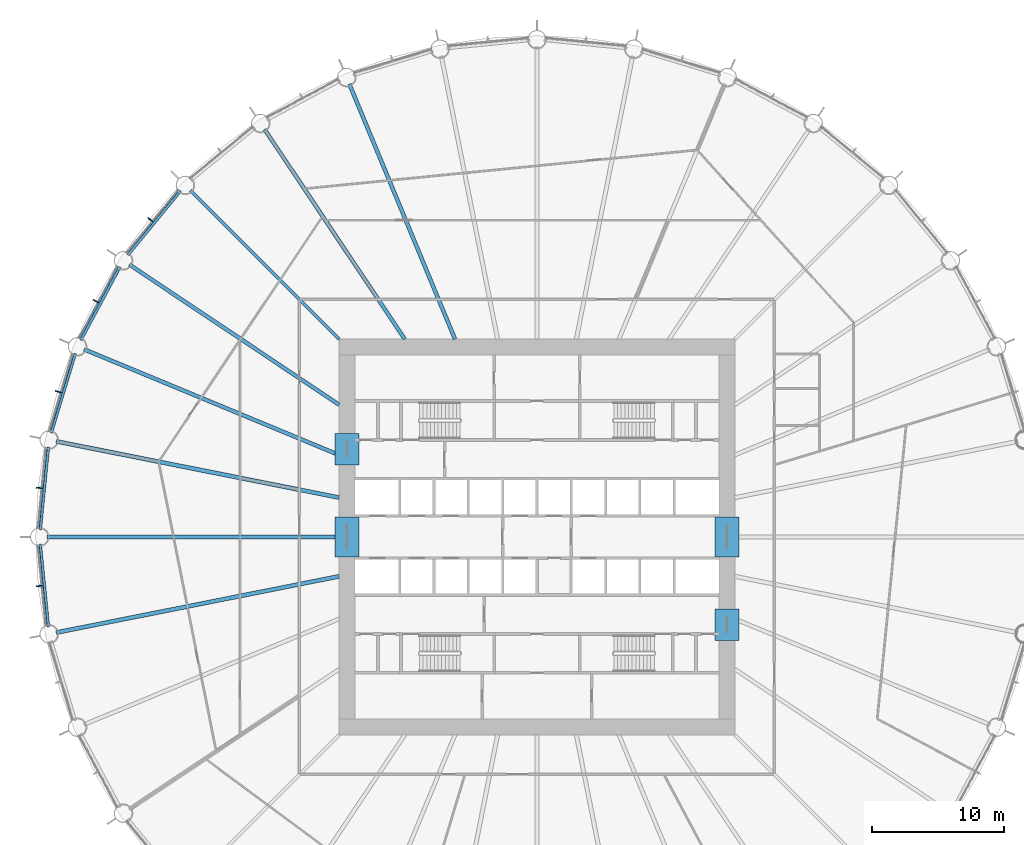
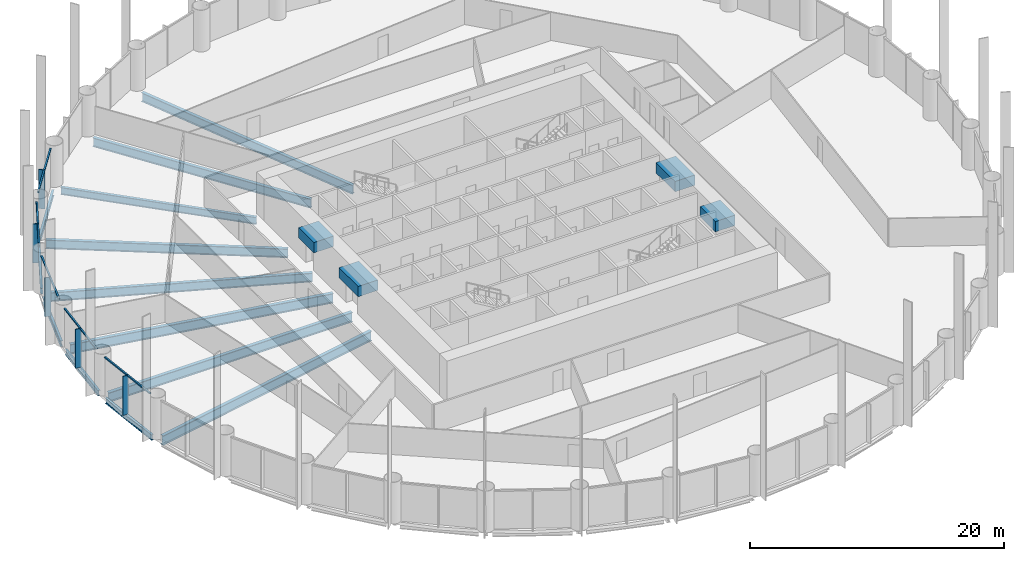
# One storey, part 4 of 14: 17 beams, 15 members, 5 elements without a shape of their own.
"""IFC4 building model written with IfcOpenShell, lengths in metres."""

from ifc_helpers import new_model, si_unit, direction, frame, origin, origin_2d, place, context, subcontext, project, spatial, rectangle, i_section, extrude, material, material_profile, profile_set, type_object, element, aggregate, save


model = new_model("IFC4")

# Units and contexts
model_context = context("Model", 3, precision=1e-05, world=origin(), true_north=direction((0.0, 1.0)))
body_context = subcontext(model_context, "Body", "Model", "MODEL_VIEW")
ifc_project = project(units=[si_unit("LENGTHUNIT", "METRE"), si_unit("AREAUNIT", "SQUARE_METRE"), si_unit("VOLUMEUNIT", "CUBIC_METRE"), si_unit("PLANEANGLEUNIT", "RADIAN"), si_unit("MASSUNIT", "GRAM", prefix="KILO")], contexts=[model_context])

# Site, building, storey
site_placement = place(None, origin())
site = spatial("IfcSite", under=ifc_project, at=site_placement, CompositionType="ELEMENT")
building_placement = place(site_placement, origin())
building = spatial("IfcBuilding", under=site, at=building_placement, Name="Corvane Civic Tower", CompositionType="ELEMENT")
storey_placement = place(building_placement, frame((0.0, 0.0, 53.0)))
storey = spatial("IfcBuildingStorey", under=building, at=storey_placement, Name="L11", CompositionType="ELEMENT", Elevation=53.0)

# Beams
ifc_material_1 = material(Name="Concrete C80/95", Category="concrete")
ifc_material_profile_1 = material_profile(ifc_material_1, rectangle(XDim=1.800048828125, YDim=1.0, at=origin_2d()), Name="COUPLING BEAM 1800X1000")
ifc_profile_set_1 = profile_set([ifc_material_profile_1], Name="Concrete C80/95")
beam_type_1 = type_object("IfcBeamType", Name="COUPLING BEAM COUPLING BEAM 1800X1000", PredefinedType="BEAM", material=ifc_profile_set_1)
for number, where, z_axis, x_axis, name in (
    (1, (-14.39990234375, -1.5, 2.60009765625), (0.0, 1.0, 0.0), (-1.0, 0.0, 0.0), "BM-L11-cpl-CW-LW"),
    (2, (14.39990234375, -1.5, 2.60009765625), (0.0, 1.0, 0.0), (-1.0, 0.0, 0.0), "BM-L11-cpl-CW-LE"),
):
    element("IfcBeam", number, at=place(storey_placement, frame(where, z_axis=z_axis, x_axis=x_axis)), inside=storey, type_object=beam_type_1, Name=name, PredefinedType="BEAM", context=body_context, shape_type="SweptSolid", body=[
        extrude(rectangle(XDim=1.800048828125, YDim=1.0, at=origin_2d()), origin(), (0.0, 0.0, 1.0), 3.0),
    ])
for number, where, z_axis, x_axis, name in (
    (3, (-14.39990234375, 5.449951171875, 2.60009765625), (0.0, 1.0, 0.0), (-1.0, 0.0, 0.0), "BM-L11-cpl-CW-WN"),
    (4, (14.39990234375, -7.85009765625, 2.60009765625), (0.0, 1.0, 0.0), (-1.0, 0.0, 0.0), "BM-L11-cpl-CW-ES"),
):
    element("IfcBeam", number, at=place(storey_placement, frame(where, z_axis=z_axis, x_axis=x_axis)), inside=storey, type_object=beam_type_1, Name=name, PredefinedType="BEAM", context=body_context, shape_type="SweptSolid", body=[
        extrude(rectangle(XDim=1.800048828125, YDim=1.0, at=origin_2d()), origin(), (0.0, 0.0, 1.0), 2.400146484375),
    ])
ifc_material_2 = material(Name="Steel ASTM A992 Gr 50", Category="steel")
ifc_material_profile_2 = material_profile(ifc_material_2, i_section(OverallWidth=0.209228515625, OverallDepth=0.533447265625, WebThickness=0.01025390625, FlangeThickness=0.015625, at=origin_2d()), Name="W21X62")
ifc_profile_set_2 = profile_set([ifc_material_profile_2], Name="Steel ASTM A992 Gr 50")
beam_type_2 = type_object("IfcBeamType", Name="EDGE BEAM W21X62", PredefinedType="BEAM", material=ifc_profile_set_2)
for number, where, z_axis, x_axis, name in (
    (5, (-37.029541015625, -6.8076171875, -0.566650390625), (-0.097997284622, 0.995186682089, 0.0), (-0.995186682089, -0.097997284622, 0.0), "BM-L11-E24"),
    (6, (-37.64599609375, 0.54736328125, -0.566650390625), (0.097997284622, 0.995186682089, 0.0), (-0.995186682089, 0.097997284622, 0.0), "BM-L11-E25"),
):
    element("IfcBeam", number, at=place(storey_placement, frame(where, z_axis=z_axis, x_axis=x_axis)), inside=storey, type_object=beam_type_2, Name=name, PredefinedType="BEAM", context=body_context, shape_type="SweptSolid", body=[
        extrude(i_section(OverallWidth=0.209228515625, OverallDepth=0.533447265625, WebThickness=0.01025390625, FlangeThickness=0.015625, at=origin_2d()), origin(), (0.0, 0.0, 1.0), 6.29052734375),
    ])
for number, where, z_axis, x_axis, name in (
    (7, (-36.81591796875, 7.88134765625, -0.566650390625), (0.290273452184, 0.956943740748, 0.0), (-0.956943740748, 0.290273452184, 0.0), "BM-L11-E26"),
    (8, (-34.571044921875, 14.912353515625, -0.566650390625), (0.471405897311, 0.881916367906, 0.0), (-0.881916367906, 0.471405897311, 0.0), "BM-L11-E27"),
):
    element("IfcBeam", number, at=place(storey_placement, frame(where, z_axis=z_axis, x_axis=x_axis)), inside=storey, type_object=beam_type_2, Name=name, PredefinedType="BEAM", context=body_context, shape_type="SweptSolid", body=[
        extrude(i_section(OverallWidth=0.209228515625, OverallDepth=0.533447265625, WebThickness=0.01025390625, FlangeThickness=0.015625, at=origin_2d()), origin(), (0.0, 0.0, 1.0), 6.290283203125),
    ])
beam_1_placement = place(storey_placement, frame((-30.99755859375, 21.3701171875, -0.566650390625), z_axis=(0.634386787141, 0.773015785286, 0.0), x_axis=(-0.773015785286, 0.634386787141, 0.0)))
element("IfcBeam", 9, at=beam_1_placement, inside=storey, type_object=beam_type_2, Name="BM-L11-E28", PredefinedType="BEAM", context=body_context, shape_type="SweptSolid", body=[
    extrude(i_section(OverallWidth=0.209228515625, OverallDepth=0.533447265625, WebThickness=0.01025390625, FlangeThickness=0.015625, at=origin_2d()), origin(), (0.0, 0.0, 1.0), 6.290771484375),
])
ifc_material_3 = material(Name="Steel ASTM A992 Gr 50", Category="steel")
ifc_material_profile_3 = material_profile(ifc_material_3, i_section(OverallWidth=0.256591796875, OverallDepth=0.693359375, WebThickness=0.014404296875, FlangeThickness=0.023681640625, at=origin_2d()), Name="W27X114")
ifc_profile_set_3 = profile_set([ifc_material_profile_3], Name="Steel ASTM A992 Gr 50")
beam_type_3 = type_object("IfcBeamType", Name="FLOOR GIRDER W27X114", PredefinedType="BEAM", material=ifc_profile_set_3)
beam_2_placement = place(storey_placement, frame((-15.0, 15.0, -0.646728515625), z_axis=(-0.707106781187, 0.707106781187, 0.0), x_axis=(-0.707106781187, -0.707106781187, 0.0)))
element("IfcBeam", 10, at=beam_2_placement, inside=storey, type_object=beam_type_3, Name="BM-L11-G29", PredefinedType="BEAM", context=body_context, shape_type="SweptSolid", body=[
    extrude(i_section(OverallWidth=0.256591796875, OverallDepth=0.693359375, WebThickness=0.014404296875, FlangeThickness=0.023681640625, at=origin_2d()), origin(), (0.0, 0.0, 1.0), 15.936767578125),
])
ifc_material_4 = material(Name="Steel ASTM A992 Gr 50", Category="steel")
ifc_material_profile_4 = material_profile(ifc_material_4, i_section(OverallWidth=0.2919921875, OverallDepth=0.8583984375, WebThickness=0.01708984375, FlangeThickness=0.031005859375, at=origin_2d()), Name="W33X169")
ifc_profile_set_4 = profile_set([ifc_material_profile_4], Name="Steel ASTM A992 Gr 50")
beam_type_4 = type_object("IfcBeamType", Name="FLOOR GIRDER W33X169", PredefinedType="BEAM", material=ifc_profile_set_4)
beam_3_placement = place(storey_placement, frame((-15.0, 6.213134765625, -0.729248046875), z_axis=(-0.923875834355, 0.382692360381, 0.0), x_axis=(-0.382692360381, -0.923875834355, 0.0)))
element("IfcBeam", 11, at=beam_3_placement, inside=storey, type_object=beam_type_4, Name="BM-L11-G27", PredefinedType="BEAM", context=body_context, shape_type="SweptSolid", body=[
    extrude(i_section(OverallWidth=0.2919921875, OverallDepth=0.8583984375, WebThickness=0.01708984375, FlangeThickness=0.031005859375, at=origin_2d()), origin(), (0.0, 0.0, 1.0), 20.9140625),
])
for number, where, z_axis, x_axis, name in (
    (12, (-15.0, 10.022705078125, -0.729248046875), (-0.831471985418, 0.555566681385, 0.0), (-0.555566681385, -0.831471985418, 0.0), "BM-L11-G28"),
    (13, (-10.022705078125, 15.0, -0.729248046875), (-0.555566681385, 0.831471985418, 0.0), (-0.831471985418, -0.555566681385, 0.0), "BM-L11-G30"),
):
    element("IfcBeam", number, at=place(storey_placement, frame(where, z_axis=z_axis, x_axis=x_axis)), inside=storey, type_object=beam_type_4, Name=name, PredefinedType="BEAM", context=body_context, shape_type="SweptSolid", body=[
        extrude(i_section(OverallWidth=0.2919921875, OverallDepth=0.8583984375, WebThickness=0.01708984375, FlangeThickness=0.031005859375, at=origin_2d()), origin(), (0.0, 0.0, 1.0), 19.109619140625),
    ])
beam_4_placement = place(storey_placement, frame((-6.213134765625, 15.0, -0.729248046875), z_axis=(-0.382692360381, 0.923875834355, 0.0), x_axis=(-0.923875834355, -0.382692360381, 0.0)))
element("IfcBeam", 14, at=beam_4_placement, inside=storey, type_object=beam_type_4, Name="BM-L11-G31", PredefinedType="BEAM", context=body_context, shape_type="SweptSolid", body=[
    extrude(i_section(OverallWidth=0.2919921875, OverallDepth=0.8583984375, WebThickness=0.01708984375, FlangeThickness=0.031005859375, at=origin_2d()), origin(), (0.0, 0.0, 1.0), 20.9140625),
])
ifc_material_5 = material(Name="Steel ASTM A992 Gr 50", Category="steel")
ifc_material_profile_5 = material_profile(ifc_material_5, i_section(OverallWidth=0.307373046875, OverallDepth=0.927001953125, WebThickness=0.01953125, FlangeThickness=0.031982421875, at=origin_2d()), Name="W36X194")
ifc_profile_set_5 = profile_set([ifc_material_profile_5], Name="Steel ASTM A992 Gr 50")
beam_type_5 = type_object("IfcBeamType", Name="FLOOR GIRDER W36X194", PredefinedType="BEAM", material=ifc_profile_set_5)
beam_5_placement = place(storey_placement, frame((-15.0, -2.983642578125, -0.763671875), z_axis=(-0.980785499679, -0.195089219638, 0.0), x_axis=(0.195089219638, -0.980785499679, 0.0)))
element("IfcBeam", 15, at=beam_5_placement, inside=storey, type_object=beam_type_5, Name="BM-L11-G24", PredefinedType="BEAM", context=body_context, shape_type="SweptSolid", body=[
    extrude(i_section(OverallWidth=0.307373046875, OverallDepth=0.927001953125, WebThickness=0.01953125, FlangeThickness=0.031982421875, at=origin_2d()), origin(), (0.0, 0.0, 1.0), 21.856201171875),
])
beam_6_placement = place(storey_placement, frame((-15.0, 0.0, -0.763671875), z_axis=(-1.0, 0.0, 0.0), x_axis=(0.0, -1.0, 0.0)))
element("IfcBeam", 16, at=beam_6_placement, inside=storey, type_object=beam_type_5, Name="BM-L11-G25", PredefinedType="BEAM", context=body_context, shape_type="SweptSolid", body=[
    extrude(i_section(OverallWidth=0.307373046875, OverallDepth=0.927001953125, WebThickness=0.01953125, FlangeThickness=0.031982421875, at=origin_2d()), origin(), (0.0, 0.0, 1.0), 22.14990234375),
])
beam_7_placement = place(storey_placement, frame((-15.0, 2.983642578125, -0.763671875), z_axis=(-0.980785499679, 0.195089219638, 0.0), x_axis=(-0.195089219638, -0.980785499679, 0.0)))
element("IfcBeam", 17, at=beam_7_placement, inside=storey, type_object=beam_type_5, Name="BM-L11-G26", PredefinedType="BEAM", context=body_context, shape_type="SweptSolid", body=[
    extrude(i_section(OverallWidth=0.307373046875, OverallDepth=0.927001953125, WebThickness=0.01953125, FlangeThickness=0.031982421875, at=origin_2d()), origin(), (0.0, 0.0, 1.0), 21.856201171875),
])

# Curtain wall, members
ifc_material_6 = material(Name="Anodised aluminium bronze", Category="aluminium")
curtain_wall_type = type_object("IfcCurtainWallType", Name="TOWER CW-T1 STICK CURTAIN WALL", PredefinedType="NOTDEFINED", material=ifc_material_6)
curtain_wall_1_placement = place(storey_placement, origin())
curtain_wall_1 = element("IfcCurtainWall", 18, at=curtain_wall_1_placement, inside=storey, type_object=curtain_wall_type, Name="Curtain wall CW-T1 L11 bay 24", PredefinedType="NOTDEFINED")
ifc_material_7 = material(Name="Anodised aluminium bronze", Category="aluminium")
ifc_material_profile_6 = material_profile(ifc_material_7, rectangle(XDim=0.139892578125, YDim=0.1201171875, at=origin_2d()), Name="TOWER CW-T1 TRANSOM 140x120")
ifc_profile_set_6 = profile_set([ifc_material_profile_6], Name="Anodised aluminium bronze")
member_type_1 = type_object("IfcMemberType", Name="TOWER CW-T1 TRANSOM 140x120", PredefinedType="USERDEFINED", material=ifc_profile_set_6)
member_1_placement = place(storey_placement, frame((-37.21728515625, -6.72900390625, 3.68994140625), z_axis=(-0.097944923917, 0.995191836722, 0.0), x_axis=(-0.995191836722, -0.097944923917, 0.0)))
member_1 = element("IfcMember", 19, at=member_1_placement, type_object=member_type_1, Name="Transom CW-T1 L11 24.1", ObjectType="TRANSOM", PredefinedType="USERDEFINED", context=body_context, shape_type="SweptSolid", body=[
    extrude(rectangle(XDim=0.139892578125, YDim=0.1201171875, at=origin_2d()), origin(), (0.0, 0.0, 1.0), 3.008544921875),
])
member_2_placement = place(storey_placement, frame((-37.52001953125, -3.6552734375, 3.68994140625), z_axis=(-0.097944923917, 0.995191836722, 0.0), x_axis=(-0.995191836722, -0.097944923917, 0.0)))
member_2 = element("IfcMember", 20, at=member_2_placement, type_object=member_type_1, Name="Transom CW-T1 L11 24.2", ObjectType="TRANSOM", PredefinedType="USERDEFINED", context=body_context, shape_type="SweptSolid", body=[
    extrude(rectangle(XDim=0.139892578125, YDim=0.1201171875, at=origin_2d()), origin(), (0.0, 0.0, 1.0), 3.008544921875),
])

curtain_wall_2_placement = place(storey_placement, origin())
curtain_wall_2 = element("IfcCurtainWall", 21, at=curtain_wall_2_placement, inside=storey, type_object=curtain_wall_type, Name="Curtain wall CW-T1 L11 bay 25", PredefinedType="NOTDEFINED")
member_3_placement = place(storey_placement, frame((-37.814697265625, 0.6611328125, 3.68994140625), z_axis=(0.097944923917, 0.995191836722, 0.0), x_axis=(-0.995191836722, 0.097944923917, 0.0)))
member_3 = element("IfcMember", 22, at=member_3_placement, type_object=member_type_1, Name="Transom CW-T1 L11 25.1", ObjectType="TRANSOM", PredefinedType="USERDEFINED", context=body_context, shape_type="SweptSolid", body=[
    extrude(rectangle(XDim=0.139892578125, YDim=0.1201171875, at=origin_2d()), origin(), (0.0, 0.0, 1.0), 3.008544921875),
])
member_4_placement = place(storey_placement, frame((-37.511962890625, 3.73486328125, 3.68994140625), z_axis=(0.097944923917, 0.995191836722, 0.0), x_axis=(-0.995191836722, 0.097944923917, 0.0)))
member_4 = element("IfcMember", 23, at=member_4_placement, type_object=member_type_1, Name="Transom CW-T1 L11 25.2", ObjectType="TRANSOM", PredefinedType="USERDEFINED", context=body_context, shape_type="SweptSolid", body=[
    extrude(rectangle(XDim=0.139892578125, YDim=0.1201171875, at=origin_2d()), origin(), (0.0, 0.0, 1.0), 3.008544921875),
])

curtain_wall_3_placement = place(storey_placement, origin())
curtain_wall_3 = element("IfcCurtainWall", 24, at=curtain_wall_3_placement, inside=storey, type_object=curtain_wall_type, Name="Curtain wall CW-T1 L11 bay 26", PredefinedType="NOTDEFINED")
member_5_placement = place(storey_placement, frame((-36.959228515625, 8.02587890625, 3.68994140625), z_axis=(0.290279914268, 0.956941780555, 0.0), x_axis=(-0.956941780555, 0.290279914268, 0.0)))
member_5 = element("IfcMember", 25, at=member_5_placement, type_object=member_type_1, Name="Transom CW-T1 L11 26.1", ObjectType="TRANSOM", PredefinedType="USERDEFINED", context=body_context, shape_type="SweptSolid", body=[
    extrude(rectangle(XDim=0.139892578125, YDim=0.1201171875, at=origin_2d()), origin(), (0.0, 0.0, 1.0), 3.008544921875),
])
member_6_placement = place(storey_placement, frame((-36.062744140625, 10.9814453125, 3.68994140625), z_axis=(0.290279914268, 0.956941780555, 0.0), x_axis=(-0.956941780555, 0.290279914268, 0.0)))
member_6 = element("IfcMember", 26, at=member_6_placement, type_object=member_type_1, Name="Transom CW-T1 L11 26.2", ObjectType="TRANSOM", PredefinedType="USERDEFINED", context=body_context, shape_type="SweptSolid", body=[
    extrude(rectangle(XDim=0.139892578125, YDim=0.1201171875, at=origin_2d()), origin(), (0.0, 0.0, 1.0), 3.008544921875),
])

curtain_wall_4_placement = place(storey_placement, origin())
curtain_wall_4 = element("IfcCurtainWall", 27, at=curtain_wall_4_placement, inside=storey, type_object=curtain_wall_type, Name="Curtain wall CW-T1 L11 bay 27", PredefinedType="NOTDEFINED")
member_7_placement = place(storey_placement, frame((-34.683349609375, 15.08203125, 3.68994140625), z_axis=(0.471392506424, 0.881923525532, 0.0), x_axis=(-0.881923525532, 0.471392506424, 0.0)))
member_7 = element("IfcMember", 28, at=member_7_placement, type_object=member_type_1, Name="Transom CW-T1 L11 27.1", ObjectType="TRANSOM", PredefinedType="USERDEFINED", context=body_context, shape_type="SweptSolid", body=[
    extrude(rectangle(XDim=0.139892578125, YDim=0.1201171875, at=origin_2d()), origin(), (0.0, 0.0, 1.0), 3.008544921875),
])
member_8_placement = place(storey_placement, frame((-33.2275390625, 17.805908203125, 3.68994140625), z_axis=(0.471392506424, 0.881923525532, 0.0), x_axis=(-0.881923525532, 0.471392506424, 0.0)))
member_8 = element("IfcMember", 29, at=member_8_placement, type_object=member_type_1, Name="Transom CW-T1 L11 27.2", ObjectType="TRANSOM", PredefinedType="USERDEFINED", context=body_context, shape_type="SweptSolid", body=[
    extrude(rectangle(XDim=0.139892578125, YDim=0.1201171875, at=origin_2d()), origin(), (0.0, 0.0, 1.0), 3.008544921875),
])

curtain_wall_5_placement = place(storey_placement, origin())
curtain_wall_5 = element("IfcCurtainWall", 30, at=curtain_wall_5_placement, inside=storey, type_object=curtain_wall_type, Name="Curtain wall CW-T1 L11 bay 28", PredefinedType="NOTDEFINED")
member_9_placement = place(storey_placement, frame((-31.074462890625, 21.55859375, 3.68994140625), z_axis=(0.634355161466, 0.773041738279, 0.0), x_axis=(-0.773041738279, 0.634355161466, 0.0)))
member_9 = element("IfcMember", 31, at=member_9_placement, type_object=member_type_1, Name="Transom CW-T1 L11 28.1", ObjectType="TRANSOM", PredefinedType="USERDEFINED", context=body_context, shape_type="SweptSolid", body=[
    extrude(rectangle(XDim=0.139892578125, YDim=0.1201171875, at=origin_2d()), origin(), (0.0, 0.0, 1.0), 3.008544921875),
])
member_10_placement = place(storey_placement, frame((-29.115234375, 23.946044921875, 3.68994140625), z_axis=(0.634403652865, 0.773001943873, 0.0), x_axis=(-0.773001943873, 0.634403652865, 0.0)))
member_10 = element("IfcMember", 32, at=member_10_placement, type_object=member_type_1, Name="Transom CW-T1 L11 28.2", ObjectType="TRANSOM", PredefinedType="USERDEFINED", context=body_context, shape_type="SweptSolid", body=[
    extrude(rectangle(XDim=0.139892578125, YDim=0.1201171875, at=origin_2d()), origin(), (0.0, 0.0, 1.0), 3.008544921875),
])

# Member
ifc_material_8 = material(Name="Anodised aluminium bronze", Category="aluminium")
ifc_material_profile_7 = material_profile(ifc_material_8, rectangle(XDim=0.080078125, YDim=0.5, at=origin_2d()), Name="TOWER FIN MULLION 80x500 BRONZE")
ifc_profile_set_7 = profile_set([ifc_material_profile_7], Name="Anodised aluminium bronze")
member_type_2 = type_object("IfcMemberType", Name="TOWER FIN MULLION 80x500 BRONZE", PredefinedType="MULLION", material=ifc_profile_set_7)
member_11_placement = place(storey_placement, frame((-37.715087890625, -3.714599609375, 0.0), z_axis=(0.0, 0.0, 1.0), x_axis=(-0.098006239521, 0.995185800248, 0.0)))
member_11 = element("IfcMember", 33, at=member_11_placement, type_object=member_type_2, Name="Fin mullion 24 L11", PredefinedType="MULLION", context=body_context, shape_type="SweptSolid", body=[
    extrude(rectangle(XDim=0.080078125, YDim=0.5, at=origin_2d()), origin(), (0.0, 0.0, 1.0), 3.75),
])

aggregate(curtain_wall_1, [member_11, member_1, member_2])

member_12_placement = place(storey_placement, frame((-37.715087890625, 3.714599609375, 0.0), z_axis=(0.0, 0.0, 1.0), x_axis=(0.098006239521, 0.995185800248, 0.0)))
member_12 = element("IfcMember", 34, at=member_12_placement, type_object=member_type_2, Name="Fin mullion 25 L11", PredefinedType="MULLION", context=body_context, shape_type="SweptSolid", body=[
    extrude(rectangle(XDim=0.080078125, YDim=0.5, at=origin_2d()), origin(), (0.0, 0.0, 1.0), 3.75),
])

aggregate(curtain_wall_2, [member_12, member_3, member_4])

member_13_placement = place(storey_placement, frame((-36.265625, 11.001220703125, 0.0), z_axis=(0.0, 0.0, 1.0), x_axis=(0.290278397654, 0.956942240606, 0.0)))
member_13 = element("IfcMember", 35, at=member_13_placement, type_object=member_type_2, Name="Fin mullion 26 L11", PredefinedType="MULLION", context=body_context, shape_type="SweptSolid", body=[
    extrude(rectangle(XDim=0.080078125, YDim=0.5, at=origin_2d()), origin(), (0.0, 0.0, 1.0), 3.75),
])

aggregate(curtain_wall_3, [member_13, member_5, member_6])

member_14_placement = place(storey_placement, frame((-33.422607421875, 17.86474609375, 0.0), z_axis=(0.0, 0.0, 1.0), x_axis=(0.471403725359, 0.881917528864, 0.0)))
member_14 = element("IfcMember", 36, at=member_14_placement, type_object=member_type_2, Name="Fin mullion 27 L11", PredefinedType="MULLION", context=body_context, shape_type="SweptSolid", body=[
    extrude(rectangle(XDim=0.080078125, YDim=0.5, at=origin_2d()), origin(), (0.0, 0.0, 1.0), 3.75),
])

aggregate(curtain_wall_4, [member_14, member_7, member_8])

member_15_placement = place(storey_placement, frame((-29.295166015625, 24.0419921875, 0.0), z_axis=(0.0, 0.0, 1.0), x_axis=(0.634397218569, 0.773007224463, 0.0)))
member_15 = element("IfcMember", 37, at=member_15_placement, type_object=member_type_2, Name="Fin mullion 28 L11", PredefinedType="MULLION", context=body_context, shape_type="SweptSolid", body=[
    extrude(rectangle(XDim=0.080078125, YDim=0.5, at=origin_2d()), origin(), (0.0, 0.0, 1.0), 3.75),
])

aggregate(curtain_wall_5, [member_15, member_9, member_10])

save(model, "model.ifc")
